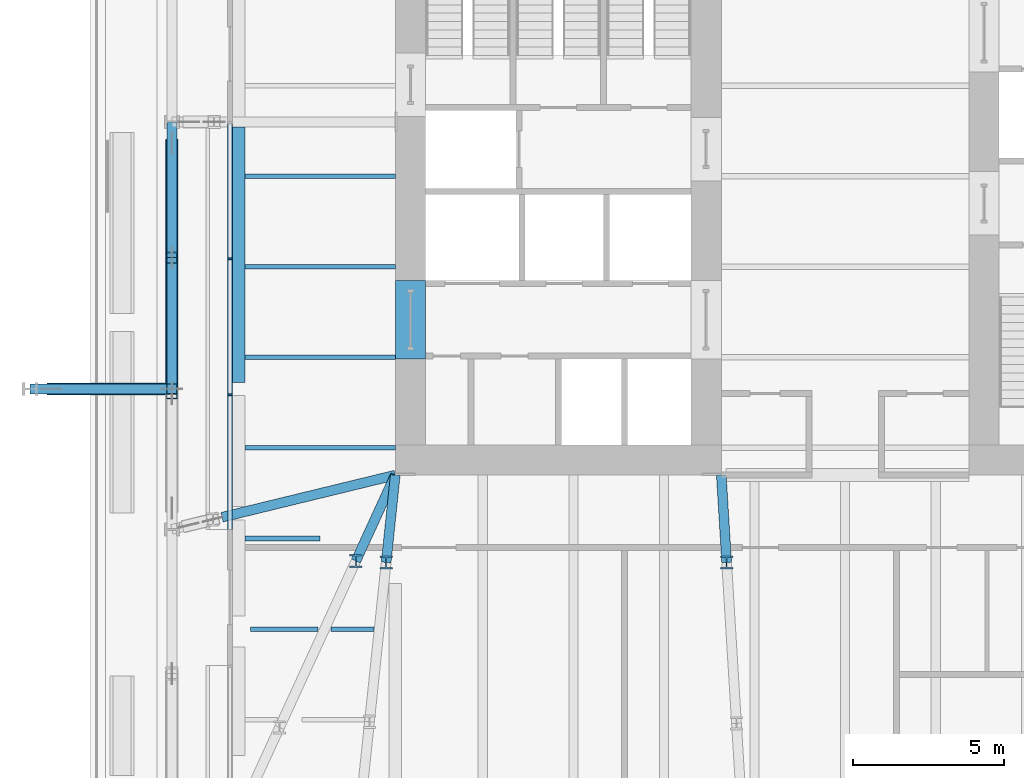
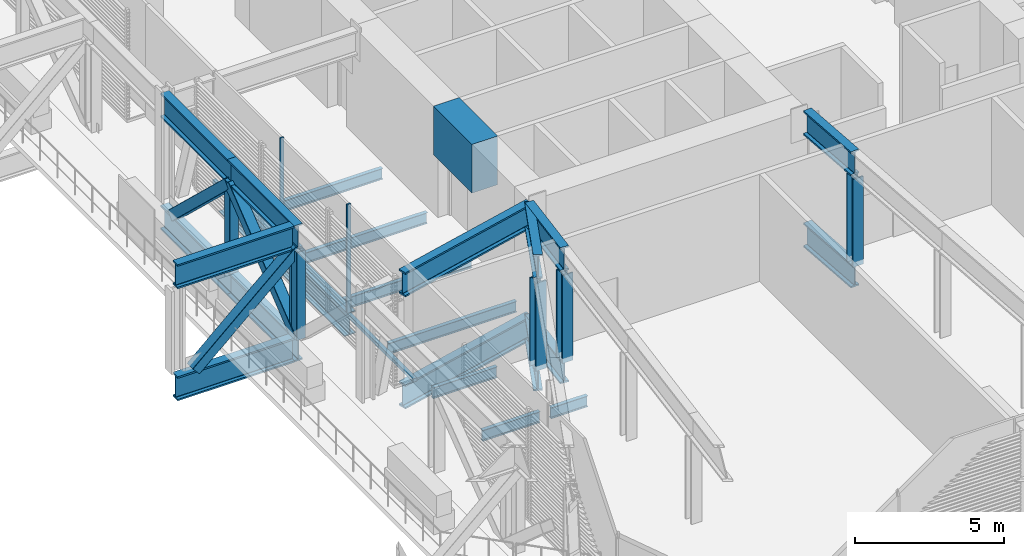
# One storey, part 5 of 29: 23 beams, 12 members, 1 element without a shape of its own.
"""IFC4 building model written with IfcOpenShell, lengths in metres."""

from ifc_helpers import new_model, si_unit, direction, frame, origin, origin_2d, place, context, subcontext, project, spatial, rectangle, hollow_rectangle, i_section, extrude, material, layer, layer_set, material_profile, profile_set, type_object, element, aggregate, save


model = new_model("IFC4")

# Units and contexts
model_context = context("Model", 3, precision=1e-05, world=origin(), true_north=direction((0.0, 1.0)))
body_context = subcontext(model_context, "Body", "Model", "MODEL_VIEW")
ifc_project = project(units=[si_unit("LENGTHUNIT", "METRE"), si_unit("AREAUNIT", "SQUARE_METRE"), si_unit("VOLUMEUNIT", "CUBIC_METRE"), si_unit("PLANEANGLEUNIT", "RADIAN"), si_unit("MASSUNIT", "GRAM", prefix="KILO")], contexts=[model_context])

# Site, building, storey
site_placement = place(None, origin())
site = spatial("IfcSite", under=ifc_project, at=site_placement, CompositionType="ELEMENT")
building_placement = place(site_placement, origin())
building = spatial("IfcBuilding", under=site, at=building_placement, Name="Millrace Tower", CompositionType="ELEMENT")
storey_placement = place(building_placement, frame((0.0, 0.0, 68.60009765625)))
storey = spatial("IfcBuildingStorey", under=building, at=storey_placement, Name="L15", CompositionType="ELEMENT", Elevation=68.60009765625)

# Curtain wall, members
ifc_material_1 = material(Name="Aluminium and glass", Category="aluminium")
ifc_layer = layer(ifc_material_1, 0.14990234375)
ifc_layer_set = layer_set([ifc_layer], Name="Aluminium and glass")
curtain_wall_type = type_object("IfcCurtainWallType", Name="CW-5 truss and plant storey louvred infill", PredefinedType="NOTDEFINED", material=ifc_layer_set)
curtain_wall_placement = place(storey_placement, origin())
curtain_wall = element("IfcCurtainWall", 1, at=curtain_wall_placement, inside=storey, type_object=curtain_wall_type, Name="Curtain wall B-F08 L15", PredefinedType="NOTDEFINED")
ifc_material_2 = material(Name="Aluminium", Category="aluminium")
ifc_material_profile_1 = material_profile(ifc_material_2, rectangle(XDim=0.06494140625, YDim=0.14990234375, at=origin_2d()))
ifc_profile_set_1 = profile_set([ifc_material_profile_1], Name="Aluminium")
member_type_1 = type_object("IfcMemberType", Name="CW-5 truss and plant storey louvred infill mullion", PredefinedType="MULLION", material=ifc_profile_set_1)
member_1_placement = place(storey_placement, frame((-20.375, -2.732421875, 0.139892578125), z_axis=(0.0, 0.0, 1.0), x_axis=(0.0, -1.0, 0.0)))
member_1 = element("IfcMember", 2, at=member_1_placement, type_object=member_type_1, Name="CW5 mullion B-F08.5", PredefinedType="MULLION", context=body_context, shape_type="SweptSolid", body=[
    extrude(rectangle(XDim=0.06494140625, YDim=0.14990234375, at=origin_2d()), origin(), (0.0, 0.0, 1.0), 4.4599609375),
])
member_2_placement = place(storey_placement, frame((-20.375, -7.232421875, 0.139892578125), z_axis=(0.0, 0.0, 1.0), x_axis=(0.0, -1.0, 0.0)))
member_2 = element("IfcMember", 3, at=member_2_placement, type_object=member_type_1, Name="CW5 mullion B-F08.6", PredefinedType="MULLION", context=body_context, shape_type="SweptSolid", body=[
    extrude(rectangle(XDim=0.06494140625, YDim=0.14990234375, at=origin_2d()), origin(), (0.0, 0.0, 1.0), 4.4599609375),
])
ifc_material_3 = material(Name="Aluminium", Category="aluminium")
ifc_material_profile_2 = material_profile(ifc_material_3, rectangle(XDim=0.14990234375, YDim=0.139892578125, at=origin_2d()))
ifc_profile_set_2 = profile_set([ifc_material_profile_2], Name="Aluminium")
member_type_2 = type_object("IfcMemberType", Name="CW-5 truss and plant storey louvred infill transom", PredefinedType="USERDEFINED", material=ifc_profile_set_2)
member_3_placement = place(storey_placement, frame((-20.375, 1.800048828125, 0.06982421875), z_axis=(0.0, -1.0, 0.0), x_axis=(1.0, 0.0, 0.0)))
member_3 = element("IfcMember", 4, at=member_3_placement, type_object=member_type_2, Name="CW5 transom B-F08.2", ObjectType="TRANSOM", PredefinedType="USERDEFINED", context=body_context, shape_type="SweptSolid", body=[
    extrude(rectangle(XDim=0.14990234375, YDim=0.139892578125, at=origin_2d()), origin(), (0.0, 0.0, 1.0), 13.5),
])
aggregate(curtain_wall, [member_1, member_2, member_3])

# Beams
ifc_material_4 = material(Name="Concrete C80", Category="concrete")
ifc_material_profile_3 = material_profile(ifc_material_4, rectangle(XDim=1.0, YDim=2.0, at=origin_2d()))
ifc_profile_set_3 = profile_set([ifc_material_profile_3], Name="Concrete C80")
beam_type_1 = type_object("IfcBeamType", Name="Coupling beam 1000 x 2000 Concrete C80, 2000 opening", PredefinedType="BEAM", material=ifc_profile_set_3)
beam_1_placement = place(storey_placement, frame((-14.39990234375, -6.050048828125, 3.39990234375), z_axis=(0.0, 1.0, 0.0), x_axis=(-1.0, 0.0, 0.0)))
element("IfcBeam", 5, at=beam_1_placement, inside=storey, type_object=beam_type_1, Name="Coupling beam W L15", PredefinedType="BEAM", context=body_context, shape_type="SweptSolid", body=[
    extrude(rectangle(XDim=1.0, YDim=2.0, at=origin_2d()), origin(), (0.0, 0.0, 1.0), 2.60009765625),
])
ifc_material_5 = material(Name="Steel ASTM A992 Grade 50", Category="steel")
ifc_material_profile_4 = material_profile(ifc_material_5, i_section(OverallWidth=0.15234375, OverallDepth=0.449462890625, WebThickness=0.007568359375, FlangeThickness=0.0107421875, FilletRadius=0.01025390625, at=origin_2d()))
ifc_profile_set_4 = profile_set([ifc_material_profile_4], Name="Steel ASTM A992 Grade 50")
beam_type_2 = type_object("IfcBeamType", Name="Floor beam W18x35", PredefinedType="JOIST", material=ifc_profile_set_4)
for number, where, z_axis, x_axis, name in (
    (6, (-19.880859375, -9.0, -0.4248046875), (1.0, 0.0, 0.0), (0.0, 1.0, 0.0), "BM-B-L15-S1-S014"),
    (7, (-19.880859375, -6.0, -0.4248046875), (1.0, 0.0, 0.0), (0.0, 1.0, 0.0), "BM-B-L15-S1-S017"),
    (8, (-19.880859375, -3.0, -0.4248046875), (1.0, 0.0, 0.0), (0.0, 1.0, 0.0), "BM-B-L15-S1-S020"),
    (9, (-19.880859375, 0.0, -0.4248046875), (1.0, 0.0, 0.0), (0.0, 1.0, 0.0), "BM-B-L15-S1-S023"),
):
    element("IfcBeam", number, at=place(storey_placement, frame(where, z_axis=z_axis, x_axis=x_axis)), inside=storey, type_object=beam_type_2, Name=name, PredefinedType="JOIST", context=body_context, shape_type="SweptSolid", body=[
        extrude(i_section(OverallWidth=0.15234375, OverallDepth=0.449462890625, WebThickness=0.007568359375, FlangeThickness=0.0107421875, FilletRadius=0.01025390625, at=origin_2d()), origin(), (0.0, 0.0, 1.0), 4.98095703125),
    ])
beam_2_placement = place(storey_placement, frame((-19.880859375, -12.0, -0.4248046875), z_axis=(1.0, 0.0, 0.0), x_axis=(0.0, 1.0, 0.0)))
element("IfcBeam", 10, at=beam_2_placement, inside=storey, type_object=beam_type_2, Name="BM-B-L15-S1-S011-a", PredefinedType="JOIST", context=body_context, shape_type="SweptSolid", body=[
    extrude(i_section(OverallWidth=0.15234375, OverallDepth=0.449462890625, WebThickness=0.007568359375, FlangeThickness=0.0107421875, FilletRadius=0.01025390625, at=origin_2d()), origin(), (0.0, 0.0, 1.0), 2.488037109375),
])
beam_3_placement = place(storey_placement, frame((-19.68798828125, -15.0, -0.4248046875), z_axis=(1.0, 0.0, 0.0), x_axis=(0.0, 1.0, 0.0)))
element("IfcBeam", 11, at=beam_3_placement, inside=storey, type_object=beam_type_2, Name="BM-B-L15-S1-S009-a", PredefinedType="JOIST", context=body_context, shape_type="SweptSolid", body=[
    extrude(i_section(OverallWidth=0.15234375, OverallDepth=0.449462890625, WebThickness=0.007568359375, FlangeThickness=0.0107421875, FilletRadius=0.01025390625, at=origin_2d()), origin(), (0.0, 0.0, 1.0), 2.234619140625),
])
beam_4_placement = place(storey_placement, frame((-17.026611328125, -15.0, -0.4248046875), z_axis=(1.0, 0.0, 0.0), x_axis=(0.0, 1.0, 0.0)))
element("IfcBeam", 12, at=beam_4_placement, inside=storey, type_object=beam_type_2, Name="BM-B-L15-S1-S009-b", PredefinedType="JOIST", context=body_context, shape_type="SweptSolid", body=[
    extrude(i_section(OverallWidth=0.15234375, OverallDepth=0.449462890625, WebThickness=0.007568359375, FlangeThickness=0.0107421875, FilletRadius=0.01025390625, at=origin_2d()), origin(), (0.0, 0.0, 1.0), 1.42236328125),
])
ifc_material_6 = material(Name="Steel ASTM A992 Grade 50", Category="steel")
ifc_material_profile_5 = material_profile(ifc_material_6, i_section(OverallWidth=0.419189453125, OverallDepth=0.927001953125, WebThickness=0.019287109375, FlangeThickness=0.031982421875, FilletRadius=0.024169921875, at=origin_2d()))
ifc_profile_set_5 = profile_set([ifc_material_profile_5], Name="Steel ASTM A992 Grade 50")
beam_type_3 = type_object("IfcBeamType", Name="Ring beam short span W36x231", PredefinedType="SPANDREL", material=ifc_profile_set_5)
beam_5_placement = place(storey_placement, frame((-20.09033203125, -6.830078125, -0.66357421875), z_axis=(0.0, 1.0, 0.0), x_axis=(-1.0, 0.0, 0.0)))
element("IfcBeam", 13, at=beam_5_placement, inside=storey, type_object=beam_type_3, Name="RNG-B-L15-S1-02-b", PredefinedType="SPANDREL", context=body_context, shape_type="SweptSolid", body=[
    extrude(i_section(OverallWidth=0.419189453125, OverallDepth=0.927001953125, WebThickness=0.019287109375, FlangeThickness=0.031982421875, FilletRadius=0.024169921875, at=origin_2d()), origin(), (0.0, 0.0, 1.0), 8.46875),
])

# Members
ifc_material_7 = material(Name="Steel ASTM A992 Grade 50", Category="steel")
ifc_material_profile_6 = material_profile(ifc_material_7, i_section(OverallWidth=0.411376953125, OverallDepth=0.434326171875, WebThickness=0.035888671875, FlangeThickness=0.057373046875, FilletRadius=0.01513671875, at=origin_2d()))
ifc_profile_set_6 = profile_set([ifc_material_profile_6], Name="Steel ASTM A992 Grade 50")
member_type_3 = type_object("IfcMemberType", Name="Transfer truss Vierendeel moment post W14x311", PredefinedType="POST", material=ifc_profile_set_6)
for number, where, z_axis, x_axis, name in (
    (14, (-16.205322265625, -12.744873046875, -0.2001953125), (0.0, 0.0, 1.0), (1.0, 0.0, 0.0), "TRS-L15-C01-V03"),
    (15, (-15.202880859375, -12.794189453125, -0.2001953125), (0.0, 0.0, 1.0), (1.0, 0.0, 0.0), "TRS-L15-C02-V04"),
    (16, (-3.92333984375, -12.794677734375, -0.2001953125), (0.0, 0.0, 1.0), (1.0, 0.0, 0.0), "TRS-L15-C03-V04"),
):
    element("IfcMember", number, at=place(storey_placement, frame(where, z_axis=z_axis, x_axis=x_axis)), inside=storey, type_object=member_type_3, Name=name, PredefinedType="POST", context=body_context, shape_type="SweptSolid", body=[
        extrude(i_section(OverallWidth=0.411376953125, OverallDepth=0.434326171875, WebThickness=0.035888671875, FlangeThickness=0.057373046875, FilletRadius=0.01513671875, at=origin_2d()), origin(), (0.0, 0.0, 1.0), 3.60693359375),
    ])

# Beams
ifc_material_8 = material(Name="Steel ASTM A992 Grade 50", Category="steel")
ifc_material_profile_7 = material_profile(ifc_material_8, i_section(OverallWidth=0.322509765625, OverallDepth=0.9931640625, WebThickness=0.0361328125, FlangeThickness=0.06494140625, FilletRadius=0.01904296875, at=origin_2d()))
ifc_profile_set_7 = profile_set([ifc_material_profile_7], Name="Steel ASTM A992 Grade 50")
beam_type_4 = type_object("IfcBeamType", Name="Transfer truss chord W36x387", PredefinedType="BEAM", material=ifc_profile_set_7)
for number, where, z_axis, x_axis, name in (
    (17, (-22.300048828125, 1.800048828125, -0.69677734375), (0.0, -1.0, 0.0), (1.0, 0.0, 0.0), "TRS-L15-R15-B01"),
    (18, (-22.300048828125, 1.800048828125, 3.9033203125), (0.0, -1.0, 0.0), (1.0, 0.0, 0.0), "TRS-L15-R15-T01"),
    (19, (-22.300048828125, -2.699951171875, -0.69677734375), (0.0, -1.0, 0.0), (1.0, 0.0, 0.0), "TRS-L15-R15-B02"),
    (20, (-22.300048828125, -2.699951171875, 3.9033203125), (0.0, -1.0, 0.0), (1.0, 0.0, 0.0), "TRS-L15-R15-T02"),
):
    element("IfcBeam", number, at=place(storey_placement, frame(where, z_axis=z_axis, x_axis=x_axis)), inside=storey, type_object=beam_type_4, Name=name, PredefinedType="BEAM", context=body_context, shape_type="SweptSolid", body=[
        extrude(i_section(OverallWidth=0.322509765625, OverallDepth=0.9931640625, WebThickness=0.0361328125, FlangeThickness=0.06494140625, FilletRadius=0.01904296875, at=origin_2d()), origin(), (0.0, 0.0, 1.0), 4.5),
    ])
for number, where, z_axis, x_axis, name in (
    (21, (-16.205322265625, -12.744873046875, -0.69677734375), (0.417044092267, 0.908886255318, 0.0), (-0.908886255318, 0.417044092267, 0.0), "TRS-L15-C01-B04"),
    (22, (-16.205322265625, -12.744873046875, 3.9033203125), (0.417044092267, 0.908886255318, 0.0), (-0.908886255318, 0.417044092267, 0.0), "TRS-L15-C01-T04"),
):
    element("IfcBeam", number, at=place(storey_placement, frame(where, z_axis=z_axis, x_axis=x_axis)), inside=storey, type_object=beam_type_4, Name=name, PredefinedType="BEAM", context=body_context, shape_type="SweptSolid", body=[
        extrude(i_section(OverallWidth=0.322509765625, OverallDepth=0.9931640625, WebThickness=0.0361328125, FlangeThickness=0.06494140625, FilletRadius=0.01904296875, at=origin_2d()), origin(), (0.0, 0.0, 1.0), 3.130126953125),
    ])
for number, where, z_axis, x_axis, name in (
    (23, (-15.202880859375, -12.794189453125, -0.69677734375), (0.104112677841, 0.994565508306, 0.0), (-0.994565508306, 0.104112677841, 0.0), "TRS-L15-C02-B05"),
    (24, (-15.202880859375, -12.794189453125, 3.9033203125), (0.104112677841, 0.994565508306, 0.0), (-0.994565508306, 0.104112677841, 0.0), "TRS-L15-C02-T05"),
):
    element("IfcBeam", number, at=place(storey_placement, frame(where, z_axis=z_axis, x_axis=x_axis)), inside=storey, type_object=beam_type_4, Name=name, PredefinedType="BEAM", context=body_context, shape_type="SweptSolid", body=[
        extrude(i_section(OverallWidth=0.322509765625, OverallDepth=0.9931640625, WebThickness=0.0361328125, FlangeThickness=0.06494140625, FilletRadius=0.01904296875, at=origin_2d()), origin(), (0.0, 0.0, 1.0), 2.91015625),
    ])
for number, where, z_axis, x_axis, name in (
    (25, (-3.92333984375, -12.794677734375, -0.69677734375), (-0.060947462781, 0.998140975404, 0.0), (-0.998140975404, -0.060947462781, 0.0), "TRS-L15-C03-B05"),
    (26, (-3.92333984375, -12.794677734375, 3.9033203125), (-0.060947462781, 0.998140975404, 0.0), (-0.998140975404, -0.060947462781, 0.0), "TRS-L15-C03-T05"),
):
    element("IfcBeam", number, at=place(storey_placement, frame(where, z_axis=z_axis, x_axis=x_axis)), inside=storey, type_object=beam_type_4, Name=name, PredefinedType="BEAM", context=body_context, shape_type="SweptSolid", body=[
        extrude(i_section(OverallWidth=0.322509765625, OverallDepth=0.9931640625, WebThickness=0.0361328125, FlangeThickness=0.06494140625, FilletRadius=0.01904296875, at=origin_2d()), origin(), (0.0, 0.0, 1.0), 2.900146484375),
    ])
for number, where, z_axis, x_axis, name in (
    (27, (-20.640380859375, -11.29638671875, -0.69677734375), (0.971661703438, 0.236375832249, 0.0), (-0.236375832249, 0.971661703438, 0.0), "TRS-L15-C16-B02"),
    (28, (-20.640380859375, -11.29638671875, 3.9033203125), (0.971661703438, 0.236375832249, 0.0), (-0.236375832249, 0.971661703438, 0.0), "TRS-L15-C16-T02"),
):
    element("IfcBeam", number, at=place(storey_placement, frame(where, z_axis=z_axis, x_axis=x_axis)), inside=storey, type_object=beam_type_4, Name=name, PredefinedType="BEAM", context=body_context, shape_type="SweptSolid", body=[
        extrude(i_section(OverallWidth=0.322509765625, OverallDepth=0.9931640625, WebThickness=0.0361328125, FlangeThickness=0.06494140625, FilletRadius=0.01904296875, at=origin_2d()), origin(), (0.0, 0.0, 1.0), 5.907958984375),
    ])
for number, where, z_axis, x_axis, name in (
    (29, (-27.0, -7.050048828125, -0.69677734375), (1.0, 0.0, 0.0), (0.0, 1.0, 0.0), "TRS-L15-B-A-X16-B01"),
    (30, (-27.0, -7.050048828125, 3.9033203125), (1.0, 0.0, 0.0), (0.0, 1.0, 0.0), "TRS-L15-B-A-X16-T01"),
):
    element("IfcBeam", number, at=place(storey_placement, frame(where, z_axis=z_axis, x_axis=x_axis)), inside=storey, type_object=beam_type_4, Name=name, PredefinedType="BEAM", context=body_context, shape_type="SweptSolid", body=[
        extrude(i_section(OverallWidth=0.322509765625, OverallDepth=0.9931640625, WebThickness=0.0361328125, FlangeThickness=0.06494140625, FilletRadius=0.01904296875, at=origin_2d()), origin(), (0.0, 0.0, 1.0), 4.538818359375),
    ])

# Members
ifc_material_9 = material(Name="Steel ASTM A500 Grade C", Category="steel")
ifc_material_profile_8 = material_profile(ifc_material_9, hollow_rectangle(XDim=0.406494140625, YDim=0.406494140625, WallThickness=0.015869140625, InnerFilletRadius=0.008056640625, OuterFilletRadius=0.02392578125, at=origin_2d()))
ifc_profile_set_8 = profile_set([ifc_material_profile_8], Name="Steel ASTM A500 Grade C")
member_type_4 = type_object("IfcMemberType", Name="Transfer truss diagonal HSS16x16x5/8", PredefinedType="BRACE", material=ifc_profile_set_8)
member_4_placement = place(storey_placement, frame((-22.300048828125, 1.10009765625, -0.2001953125), z_axis=(0.0, -0.72529603748, 0.688437112607), x_axis=(1.0, 0.0, 0.0)))
element("IfcMember", 31, at=member_4_placement, inside=storey, type_object=member_type_4, Name="TRS-L15-R15-D01", PredefinedType="BRACE", context=body_context, shape_type="SweptSolid", body=[
    extrude(hollow_rectangle(XDim=0.406494140625, YDim=0.406494140625, WallThickness=0.015869140625, InnerFilletRadius=0.008056640625, OuterFilletRadius=0.02392578125, at=origin_2d()), origin(), (0.0, 0.0, 1.0), 5.2392578125),
])
member_5_placement = place(storey_placement, frame((-22.300048828125, -7.199951171875, -0.2001953125), z_axis=(0.0, 0.780281998298, 0.625427856057), x_axis=(-1.0, 0.0, 0.0)))
element("IfcMember", 32, at=member_5_placement, inside=storey, type_object=member_type_4, Name="TRS-L15-R15-D02", PredefinedType="BRACE", context=body_context, shape_type="SweptSolid", body=[
    extrude(hollow_rectangle(XDim=0.406494140625, YDim=0.406494140625, WallThickness=0.015869140625, InnerFilletRadius=0.008056640625, OuterFilletRadius=0.02392578125, at=origin_2d()), origin(), (0.0, 0.0, 1.0), 5.76708984375),
])
member_6_placement = place(storey_placement, frame((-26.300048828125, -7.050048828125, -0.2001953125), z_axis=(0.742653704711, 0.0, 0.669675649011), x_axis=(0.0, 1.0, 0.0)))
element("IfcMember", 33, at=member_6_placement, inside=storey, type_object=member_type_4, Name="TRS-L15-B-A-X16-D01", PredefinedType="BRACE", context=body_context, shape_type="SweptSolid", body=[
    extrude(hollow_rectangle(XDim=0.406494140625, YDim=0.406494140625, WallThickness=0.015869140625, InnerFilletRadius=0.008056640625, OuterFilletRadius=0.02392578125, at=origin_2d()), origin(), (0.0, 0.0, 1.0), 5.385986328125),
])
ifc_material_10 = material(Name="Steel ASTM A500 Grade C", Category="steel")
ifc_material_profile_9 = material_profile(ifc_material_10, hollow_rectangle(XDim=0.355712890625, YDim=0.355712890625, WallThickness=0.015869140625, InnerFilletRadius=0.008056640625, OuterFilletRadius=0.02392578125, at=origin_2d()))
ifc_profile_set_9 = profile_set([ifc_material_profile_9], Name="Steel ASTM A500 Grade C")
member_type_5 = type_object("IfcMemberType", Name="Transfer truss post HSS14x14x5/8", PredefinedType="POST", material=ifc_profile_set_9)
for number, where, z_axis, x_axis, name in (
    (34, (-22.300048828125, -2.699951171875, -0.2001953125), (0.0, 0.0, 1.0), (1.0, 0.0, 0.0), "TRS-L15-R15-V01"),
    (35, (-22.300048828125, -7.199951171875, -0.2001953125), (0.0, 0.0, 1.0), (1.0, 0.0, 0.0), "TRS-L15-R15-V02"),
    (36, (-22.300048828125, -7.050048828125, -0.2001953125), (0.0, 0.0, 1.0), (1.0, 0.0, 0.0), "TRS-L15-B-A-X16-V01"),
):
    element("IfcMember", number, at=place(storey_placement, frame(where, z_axis=z_axis, x_axis=x_axis)), inside=storey, type_object=member_type_5, Name=name, PredefinedType="POST", context=body_context, shape_type="SweptSolid", body=[
        extrude(hollow_rectangle(XDim=0.355712890625, YDim=0.355712890625, WallThickness=0.015869140625, InnerFilletRadius=0.008056640625, OuterFilletRadius=0.02392578125, at=origin_2d()), origin(), (0.0, 0.0, 1.0), 3.60693359375),
    ])

save(model, "model.ifc")
